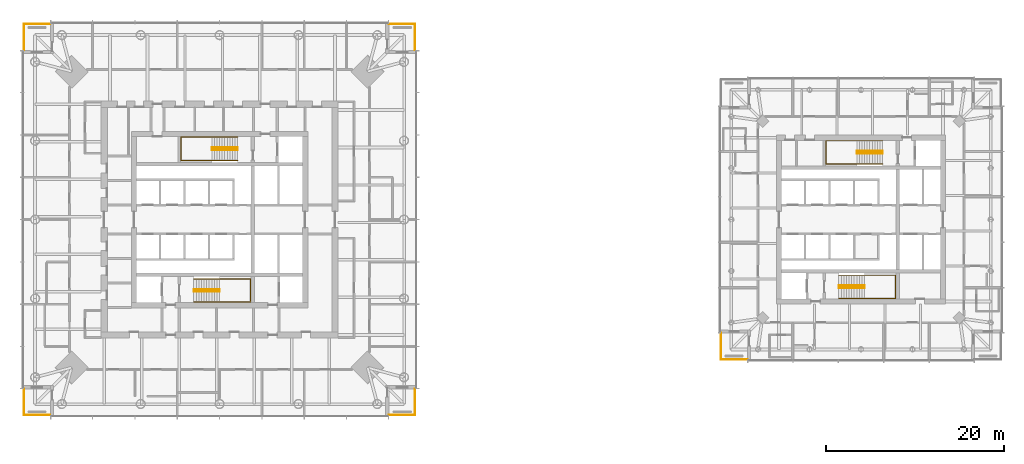
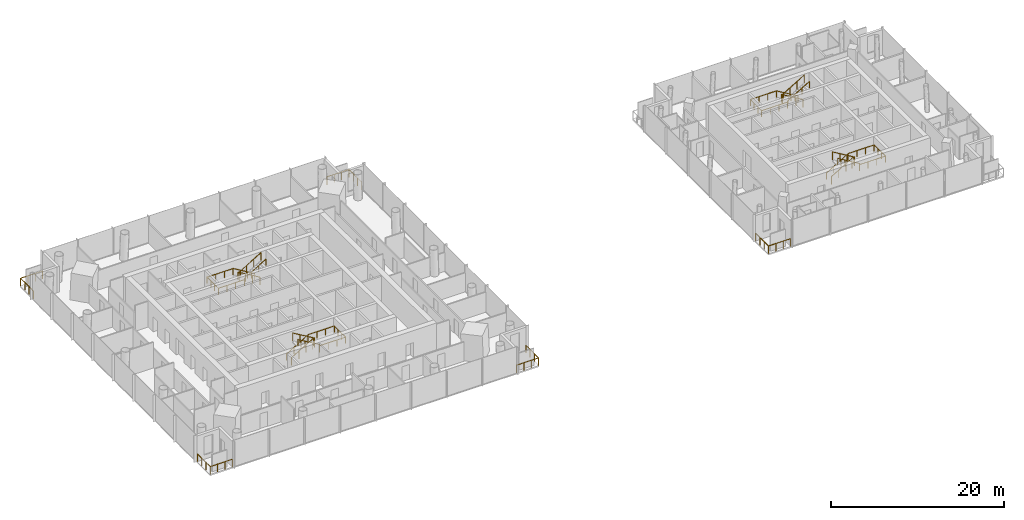
# One storey, part 17 of 18: 13 railings.
"""IFC4 building model written with IfcOpenShell, lengths in metres."""

import ifcopenshell
import ifcopenshell.guid

model = None  # the IFC model being written
_history = None  # IfcOwnerHistory: only IFC2X3 demands one
_inside = {}  # id of a spatial element -> (the spatial element, [elements in it])
_under = {}  # id of a project, library or spatial element -> (it, [spatial elements below it])
_declared = {}  # id of a project -> (the project, [libraries it declares])
_typed = {}  # id of a type object -> (the type object, [elements of that type])
_made_of = {}  # id of a material, layer set ... -> (it, [elements and type objects made of it])


def new_model(schema):
    """Start an empty IFC model of exactly this schema.

    Asked for "IFC4X3", IfcOpenShell would pick the latest addendum, in which some entities
    have other attributes; the version numbers below select the first issue.
    IFC2X3 requires an IfcOwnerHistory on every rooted entity: one is made here for all.
    """
    global model, _history
    if schema == "IFC4X3":
        model = ifcopenshell.file(schema_version=(4, 3, 0, 0))
    else:
        model = ifcopenshell.file(schema=schema)
    _inside.clear()
    _under.clear()
    _declared.clear()
    _typed.clear()
    _made_of.clear()
    _history = None
    if model.schema == "IFC2X3":
        org = make("IfcOrganization", Name="unknown")
        user = make(
            "IfcPersonAndOrganization",
            ThePerson=make("IfcPerson", FamilyName="unknown"),
            TheOrganization=org,
        )
        app = make(
            "IfcApplication",
            ApplicationDeveloper=org,
            Version="unknown",
            ApplicationFullName="unknown",
            ApplicationIdentifier="unknown",
        )
        _history = make(
            "IfcOwnerHistory",
            OwningUser=user,
            OwningApplication=app,
            ChangeAction="ADDED",
            CreationDate=0,
        )
    return model


def make(cls, **values):
    """One entity of the class cls with the attributes given. An attribute that is None is left unset."""
    return model.create_entity(
        cls, **{name: value for name, value in values.items() if value is not None}
    )


def rooted(cls, **values):
    """An entity with a GlobalId (a new one), such as an element, a storey or a relation."""
    return make(cls, GlobalId=ifcopenshell.guid.new(), OwnerHistory=_history, **values)


def si_unit(unit_type, name, prefix=None):
    """IfcSIUnit, for example si_unit("LENGTHUNIT", "METRE", prefix="MILLI")."""
    return make("IfcSIUnit", UnitType=unit_type, Prefix=prefix, Name=name)


def assignment(units):
    """IfcUnitAssignment: the units of a project."""
    return None if units is None else make("IfcUnitAssignment", Units=units)


def point(xyz):
    """IfcCartesianPoint."""
    return None if xyz is None else make("IfcCartesianPoint", Coordinates=xyz)


def direction(xyz):
    """IfcDirection."""
    return None if xyz is None else make("IfcDirection", DirectionRatios=xyz)


def frame(location, z_axis=None, x_axis=None):
    """IfcAxis2Placement3D, a coordinate frame: its origin and axes. An axis left out is left unset."""
    return make(
        "IfcAxis2Placement3D",
        Location=point(location),
        Axis=direction(z_axis),
        RefDirection=direction(x_axis),
    )


def frame_2d(location, x_axis=None):
    """IfcAxis2Placement2D, a coordinate frame in the plane: its origin and x axis."""
    return make(
        "IfcAxis2Placement2D", Location=point(location), RefDirection=direction(x_axis)
    )


def origin():
    """The frame at (0, 0, 0) with its axes left unset."""
    return frame((0.0, 0.0, 0.0))


def origin_2d():
    """The frame at (0, 0) in the plane with its x axis left unset."""
    return frame_2d((0.0, 0.0))


def place(relative_to, where):
    """IfcLocalPlacement: puts the frame where relative to a parent placement (None: the world)."""
    return make(
        "IfcLocalPlacement", PlacementRelTo=relative_to, RelativePlacement=where
    )


def context(
    kind, dimensions, precision=None, world=None, true_north=None, identifier=None
):
    """IfcGeometricRepresentationContext, for example the 3D "Model" context."""
    return make(
        "IfcGeometricRepresentationContext",
        ContextIdentifier=identifier,
        ContextType=kind,
        CoordinateSpaceDimension=dimensions,
        Precision=precision,
        WorldCoordinateSystem=world,
        TrueNorth=true_north,
    )


def subcontext(parent, identifier, kind, view, scale=None):
    """IfcGeometricRepresentationSubContext, for example "Body" below "Model"."""
    return make(
        "IfcGeometricRepresentationSubContext",
        ContextIdentifier=identifier,
        ContextType=kind,
        ParentContext=parent,
        TargetScale=scale,
        TargetView=view,
    )


def project(units=None, contexts=None):
    """IfcProject with its units and contexts."""
    return rooted(
        "IfcProject",
        Name="project",
        RepresentationContexts=contexts,
        UnitsInContext=assignment(units),
    )


def spatial(cls, under=None, at=None, **own):
    """A site, building, storey or space (cls), placed at a placement, below another one or the project."""
    s = rooted(cls, ObjectPlacement=at, **own)
    if under is not None:
        _under.setdefault(under.id(), (under, []))[1].append(s)
    return s


def profile(cls, at=None, kind="AREA", **sizes):
    """A parametric profile (cls). Its sizes go by their IFC names, for example OverallWidth=200.0."""
    return make(cls, ProfileType=kind, Position=at, **sizes)


def circle(**sizes):
    """IfcCircleProfileDef."""
    return profile("IfcCircleProfileDef", **sizes)


def extrude(swept, where, along, depth):
    """IfcExtrudedAreaSolid: the profile swept, set in the frame where, extruded along a direction by depth."""
    return make(
        "IfcExtrudedAreaSolid",
        SweptArea=swept,
        Position=where,
        ExtrudedDirection=direction(along),
        Depth=depth,
    )


def shape(context_of_items, identifier, shape_type, items):
    """IfcShapeRepresentation: the items that make up one representation, for example the "Body"."""
    return make(
        "IfcShapeRepresentation",
        ContextOfItems=context_of_items,
        RepresentationIdentifier=identifier,
        RepresentationType=shape_type,
        Items=items,
    )


def material(Name=None, Category=None):
    """IfcMaterial."""
    return make("IfcMaterial", Name=Name, Category=Category)


def made_of(thing, what):
    """Note that an element or type object is made of a material, layer set ...; save() writes the relation."""
    if what is not None:
        _made_of.setdefault(what.id(), (what, []))[1].append(thing)
    return thing


def type_object(cls, material=None, **own):
    """A type object (cls), such as IfcWallType, which elements share."""
    return made_of(rooted(cls, **own), material)


def element(
    cls,
    number,
    at=None,
    inside=None,
    cuts=None,
    type_object=None,
    material=None,
    context=None,
    identifier="Body",
    shape_type=None,
    held_by="IfcProductDefinitionShape",
    body=None,
    shapes=None,
    **own,
):
    """One element of the class cls, such as IfcWall. Its Tag is "e" and its number.

    at: its placement. inside: the storey or other place that contains it. cuts: it is an
    opening in that element (IfcRelVoidsElement). A single representation is given by context,
    identifier, shape_type and body (its items); several are given by shapes. held_by: the class
    of the entity that holds the representations. save() writes the other relations.
    """
    e = rooted(cls, Tag="e%d" % number, ObjectPlacement=at, **own)
    if body is not None:
        shapes = [shape(context, identifier, shape_type, body)]
    if shapes is not None:
        e.Representation = make(held_by, Representations=shapes)
    if inside is not None:
        _inside.setdefault(inside.id(), (inside, []))[1].append(e)
    if cuts is not None:
        rooted(
            "IfcRelVoidsElement", RelatingBuildingElement=cuts, RelatedOpeningElement=e
        )
    if type_object is not None:
        _typed.setdefault(type_object.id(), (type_object, []))[1].append(e)
    return made_of(e, material)


def aggregate(whole, parts):
    """IfcRelAggregates: a whole, such as a stair, and the parts it consists of."""
    return rooted("IfcRelAggregates", RelatingObject=whole, RelatedObjects=parts)


def save(model, path):
    """Write the relations noted so far, then the file.

    IfcRelAggregates (storeys below a building ...), IfcRelContainedInSpatialStructure (elements
    in a storey), IfcRelDefinesByType, IfcRelAssociatesMaterial and IfcRelDeclares: one each for
    every whole, place, type object, material and project.
    """
    for whole, parts in _under.values():
        aggregate(whole, parts)
    for where, things in _inside.values():
        rooted(
            "IfcRelContainedInSpatialStructure",
            RelatedElements=things,
            RelatingStructure=where,
        )
    for kind, things in _typed.values():
        rooted("IfcRelDefinesByType", RelatedObjects=things, RelatingType=kind)
    for what, things in _made_of.values():
        rooted("IfcRelAssociatesMaterial", RelatedObjects=things, RelatingMaterial=what)
    for by, libraries in _declared.values():
        rooted("IfcRelDeclares", RelatingContext=by, RelatedDefinitions=libraries)
    model.write(path)


model = new_model("IFC4")

# Units and contexts
model_context = context("Model", 3, precision=1e-05, world=origin(), true_north=direction((0.0, 1.0)))
body_context = subcontext(model_context, "Body", "Model", "MODEL_VIEW")
ifc_project = project(units=[si_unit("LENGTHUNIT", "METRE"), si_unit("AREAUNIT", "SQUARE_METRE"), si_unit("VOLUMEUNIT", "CUBIC_METRE"), si_unit("PLANEANGLEUNIT", "RADIAN"), si_unit("MASSUNIT", "GRAM", prefix="KILO")], contexts=[model_context])

# Site, building, storey
site_placement = place(None, origin())
site = spatial("IfcSite", under=ifc_project, at=site_placement, CompositionType="ELEMENT")
building_placement = place(site_placement, origin())
building = spatial("IfcBuilding", under=site, at=building_placement, Name="Ostroluk Exchange", CompositionType="ELEMENT")
storey_placement = place(building_placement, frame((0.0, 0.0, 123.60009765625)))
storey = spatial("IfcBuildingStorey", under=building, at=storey_placement, Name="L31", CompositionType="ELEMENT", Elevation=123.60009765625)

# Railings
ifc_material_1 = material(Name="Stainless steel", Category="steel")
railing_type_1 = type_object("IfcRailingType", Name="Guard 1100 stainless steel", PredefinedType="GUARDRAIL", material=ifc_material_1)
railing_1_placement = place(storey_placement, frame((64.0, 24.050048828125, 0.0)))
element("IfcRailing", 1, at=railing_1_placement, inside=storey, type_object=railing_type_1, Name="Office tower SE balcony guard L31", PredefinedType="GUARDRAIL", context=body_context, shape_type="SweptSolid", body=[
    extrude(circle(Radius=0.02392578125, at=origin_2d()), frame((0.0, 0.0, 1.076171875), z_axis=(1.0, 0.0, 0.0), x_axis=(0.0, 1.0, 0.0)), (0.0, 0.0, 1.0), 2.949951171875),
    extrude(circle(Radius=0.02392578125, at=origin_2d()), frame((2.949951171875, 0.0, 1.076171875), z_axis=(0.0, 1.0, 0.0), x_axis=(-1.0, 0.0, 0.0)), (0.0, 0.0, 1.0), 2.949951171875),
    extrude(circle(Radius=0.02099609375, at=origin_2d()), origin(), (0.0, 0.0, 1.0), 1.052001953125),
    extrude(circle(Radius=0.02099609375, at=origin_2d()), frame((0.9833984375, 0.0, 0.0)), (0.0, 0.0, 1.0), 1.052001953125),
    extrude(circle(Radius=0.02099609375, at=origin_2d()), frame((1.966552734375, 0.0, 0.0)), (0.0, 0.0, 1.0), 1.052001953125),
    extrude(circle(Radius=0.02099609375, at=origin_2d()), frame((2.949951171875, 0.0, 0.0)), (0.0, 0.0, 1.0), 1.052001953125),
    extrude(circle(Radius=0.02099609375, at=origin_2d()), frame((2.949951171875, 0.9833984375, 0.0)), (0.0, 0.0, 1.0), 1.052001953125),
    extrude(circle(Radius=0.02099609375, at=origin_2d()), frame((2.949951171875, 1.966552734375, 0.0)), (0.0, 0.0, 1.0), 1.052001953125),
    extrude(circle(Radius=0.02099609375, at=origin_2d()), frame((2.949951171875, 2.949951171875, 0.0)), (0.0, 0.0, 1.0), 1.052001953125),
])
railing_2_placement = place(storey_placement, frame((64.0, 67.949951171875, 0.0)))
element("IfcRailing", 2, at=railing_2_placement, inside=storey, type_object=railing_type_1, Name="Office tower NE balcony guard L31", PredefinedType="GUARDRAIL", context=body_context, shape_type="SweptSolid", body=[
    extrude(circle(Radius=0.02392578125, at=origin_2d()), frame((0.0, 0.0, 1.076171875), z_axis=(1.0, 0.0, 0.0), x_axis=(0.0, 1.0, 0.0)), (0.0, 0.0, 1.0), 2.949951171875),
    extrude(circle(Radius=0.02392578125, at=origin_2d()), frame((2.949951171875, 0.0, 1.076171875), z_axis=(0.0, -1.0, 0.0), x_axis=(1.0, 0.0, 0.0)), (0.0, 0.0, 1.0), 2.949951171875),
    extrude(circle(Radius=0.02099609375, at=origin_2d()), origin(), (0.0, 0.0, 1.0), 1.052001953125),
    extrude(circle(Radius=0.02099609375, at=origin_2d()), frame((0.9833984375, 0.0, 0.0)), (0.0, 0.0, 1.0), 1.052001953125),
    extrude(circle(Radius=0.02099609375, at=origin_2d()), frame((1.966552734375, 0.0, 0.0)), (0.0, 0.0, 1.0), 1.052001953125),
    extrude(circle(Radius=0.02099609375, at=origin_2d()), frame((2.949951171875, 0.0, 0.0)), (0.0, 0.0, 1.0), 1.052001953125),
    extrude(circle(Radius=0.02099609375, at=origin_2d()), frame((2.949951171875, -0.9833984375, 0.0)), (0.0, 0.0, 1.0), 1.052001953125),
    extrude(circle(Radius=0.02099609375, at=origin_2d()), frame((2.949951171875, -1.966552734375, 0.0)), (0.0, 0.0, 1.0), 1.052001953125),
    extrude(circle(Radius=0.02099609375, at=origin_2d()), frame((2.949951171875, -2.949951171875, 0.0)), (0.0, 0.0, 1.0), 1.052001953125),
])
railing_3_placement = place(storey_placement, frame((26.0, 67.949951171875, 0.0)))
element("IfcRailing", 3, at=railing_3_placement, inside=storey, type_object=railing_type_1, Name="Office tower NW balcony guard L31", PredefinedType="GUARDRAIL", context=body_context, shape_type="SweptSolid", body=[
    extrude(circle(Radius=0.02392578125, at=origin_2d()), frame((0.0, 0.0, 1.076171875), z_axis=(-1.0, 0.0, 0.0), x_axis=(0.0, -1.0, 0.0)), (0.0, 0.0, 1.0), 2.949951171875),
    extrude(circle(Radius=0.02392578125, at=origin_2d()), frame((-2.949951171875, 0.0, 1.076171875), z_axis=(0.0, -1.0, 0.0), x_axis=(1.0, 0.0, 0.0)), (0.0, 0.0, 1.0), 2.949951171875),
    extrude(circle(Radius=0.02099609375, at=origin_2d()), origin(), (0.0, 0.0, 1.0), 1.052001953125),
    extrude(circle(Radius=0.02099609375, at=origin_2d()), frame((-0.9833984375, 0.0, 0.0)), (0.0, 0.0, 1.0), 1.052001953125),
    extrude(circle(Radius=0.02099609375, at=origin_2d()), frame((-1.966552734375, 0.0, 0.0)), (0.0, 0.0, 1.0), 1.052001953125),
    extrude(circle(Radius=0.02099609375, at=origin_2d()), frame((-2.949951171875, 0.0, 0.0)), (0.0, 0.0, 1.0), 1.052001953125),
    extrude(circle(Radius=0.02099609375, at=origin_2d()), frame((-2.949951171875, -0.9833984375, 0.0)), (0.0, 0.0, 1.0), 1.052001953125),
    extrude(circle(Radius=0.02099609375, at=origin_2d()), frame((-2.949951171875, -1.966552734375, 0.0)), (0.0, 0.0, 1.0), 1.052001953125),
    extrude(circle(Radius=0.02099609375, at=origin_2d()), frame((-2.949951171875, -2.949951171875, 0.0)), (0.0, 0.0, 1.0), 1.052001953125),
])
for number, where, name in (
    (4, (26.0, 24.050048828125, 0.0), "Office tower SW balcony guard L31"),
    (5, (104.25, 30.300048828125, 0.0), "Hotel tower SW balcony guard L31"),
):
    element("IfcRailing", number, at=place(storey_placement, frame(where)), inside=storey, type_object=railing_type_1, Name=name, PredefinedType="GUARDRAIL", context=body_context, shape_type="SweptSolid", body=[
        extrude(circle(Radius=0.02392578125, at=origin_2d()), frame((0.0, 0.0, 1.076171875), z_axis=(-1.0, 0.0, 0.0), x_axis=(0.0, -1.0, 0.0)), (0.0, 0.0, 1.0), 2.949951171875),
        extrude(circle(Radius=0.02392578125, at=origin_2d()), frame((-2.949951171875, 0.0, 1.076171875), z_axis=(0.0, 1.0, 0.0), x_axis=(-1.0, 0.0, 0.0)), (0.0, 0.0, 1.0), 2.949951171875),
        extrude(circle(Radius=0.02099609375, at=origin_2d()), origin(), (0.0, 0.0, 1.0), 1.052001953125),
        extrude(circle(Radius=0.02099609375, at=origin_2d()), frame((-0.9833984375, 0.0, 0.0)), (0.0, 0.0, 1.0), 1.052001953125),
        extrude(circle(Radius=0.02099609375, at=origin_2d()), frame((-1.966552734375, 0.0, 0.0)), (0.0, 0.0, 1.0), 1.052001953125),
        extrude(circle(Radius=0.02099609375, at=origin_2d()), frame((-2.949951171875, 0.0, 0.0)), (0.0, 0.0, 1.0), 1.052001953125),
        extrude(circle(Radius=0.02099609375, at=origin_2d()), frame((-2.949951171875, 0.9833984375, 0.0)), (0.0, 0.0, 1.0), 1.052001953125),
        extrude(circle(Radius=0.02099609375, at=origin_2d()), frame((-2.949951171875, 1.966552734375, 0.0)), (0.0, 0.0, 1.0), 1.052001953125),
        extrude(circle(Radius=0.02099609375, at=origin_2d()), frame((-2.949951171875, 2.949951171875, 0.0)), (0.0, 0.0, 1.0), 1.052001953125),
    ])
ifc_material_2 = material(Name="Steel S355", Category="steel")
railing_type_2 = type_object("IfcRailingType", Name="Stair guard 1100", PredefinedType="GUARDRAIL", material=ifc_material_2)
railing_4_placement = place(storey_placement, frame((42.10009765625, 38.179931640625, 0.172607421875)))
element("IfcRailing", 6, at=railing_4_placement, inside=storey, type_object=railing_type_2, Name="Stair T1-S1 guard L31", PredefinedType="GUARDRAIL", context=body_context, shape_type="SweptSolid", body=[
    extrude(circle(Radius=0.02392578125, at=origin_2d()), frame((0.0, 0.0, 1.076171875), z_axis=(0.859141464434, 0.0, 0.511738159696), x_axis=(0.0, 1.0, 0.0)), (0.0, 0.0, 1.0), 3.375244140625),
    extrude(circle(Radius=0.02392578125, at=origin_2d()), frame((2.89990234375, 0.0, 2.80322265625), z_axis=(0.0, -1.0, 0.0), x_axis=(1.0, 0.0, 0.0)), (0.0, 0.0, 1.0), 0.260009765625),
    extrude(circle(Radius=0.02392578125, at=origin_2d()), frame((2.89990234375, -0.260009765625, 2.80322265625), z_axis=(0.0, 0.0, 1.0), x_axis=(1.0, 0.0, 0.0)), (0.0, 0.0, 1.0), 0.172607421875),
    extrude(circle(Radius=0.02392578125, at=origin_2d()), frame((2.89990234375, -0.260009765625, 2.97607421875), z_axis=(-0.859141464434, 0.0, 0.511738159696), x_axis=(0.0, -1.0, 0.0)), (0.0, 0.0, 1.0), 3.375244140625),
    extrude(circle(Radius=0.02099609375, at=origin_2d()), origin(), (0.0, 0.0, 1.0), 1.052001953125),
    extrude(circle(Radius=0.02099609375, at=origin_2d()), frame((0.966552734375, 0.0, 0.57568359375)), (0.0, 0.0, 1.0), 1.052001953125),
    extrude(circle(Radius=0.02099609375, at=origin_2d()), frame((1.933349609375, 0.0, 1.151611328125)), (0.0, 0.0, 1.0), 1.052001953125),
    extrude(circle(Radius=0.02099609375, at=origin_2d()), frame((2.89990234375, 0.0, 1.727294921875)), (0.0, 0.0, 1.0), 1.052001953125),
    extrude(circle(Radius=0.02099609375, at=origin_2d()), frame((2.89990234375, -0.260009765625, 1.727294921875)), (0.0, 0.0, 1.0), 1.052001953125),
    extrude(circle(Radius=0.02099609375, at=origin_2d()), frame((2.89990234375, -0.260009765625, 1.89990234375)), (0.0, 0.0, 1.0), 1.052001953125),
    extrude(circle(Radius=0.02099609375, at=origin_2d()), frame((1.933349609375, -0.260009765625, 2.4755859375)), (0.0, 0.0, 1.0), 1.052001953125),
    extrude(circle(Radius=0.02099609375, at=origin_2d()), frame((0.966552734375, -0.260009765625, 3.051513671875)), (0.0, 0.0, 1.0), 1.052001953125),
    extrude(circle(Radius=0.02099609375, at=origin_2d()), frame((0.0, -0.260009765625, 3.627197265625)), (0.0, 0.0, 1.0), 1.052001953125),
])
railing_5_placement = place(storey_placement, frame((47.030029296875, 54.080078125, 0.172607421875)))
element("IfcRailing", 7, at=railing_5_placement, inside=storey, type_object=railing_type_2, Name="Stair T1-S2 guard L31", PredefinedType="GUARDRAIL", context=body_context, shape_type="SweptSolid", body=[
    extrude(circle(Radius=0.02392578125, at=origin_2d()), frame((0.0, 0.0, 1.076171875), z_axis=(-0.859160404282, 0.0, 0.51170636083), x_axis=(0.0, -1.0, 0.0)), (0.0, 0.0, 1.0), 3.37548828125),
    extrude(circle(Radius=0.02392578125, at=origin_2d()), frame((-2.900146484375, 0.0, 2.80322265625), z_axis=(0.0, -1.0, 0.0), x_axis=(1.0, 0.0, 0.0)), (0.0, 0.0, 1.0), 0.260009765625),
    extrude(circle(Radius=0.02392578125, at=origin_2d()), frame((-2.900146484375, -0.260009765625, 2.80322265625), z_axis=(0.0, 0.0, 1.0), x_axis=(1.0, 0.0, 0.0)), (0.0, 0.0, 1.0), 0.172607421875),
    extrude(circle(Radius=0.02392578125, at=origin_2d()), frame((-2.900146484375, -0.260009765625, 2.97607421875), z_axis=(0.859160404282, 0.0, 0.51170636083), x_axis=(0.0, 1.0, 0.0)), (0.0, 0.0, 1.0), 3.37548828125),
    extrude(circle(Radius=0.02099609375, at=origin_2d()), origin(), (0.0, 0.0, 1.0), 1.052001953125),
    extrude(circle(Radius=0.02099609375, at=origin_2d()), frame((-0.966796875, 0.0, 0.57568359375)), (0.0, 0.0, 1.0), 1.052001953125),
    extrude(circle(Radius=0.02099609375, at=origin_2d()), frame((-1.933349609375, 0.0, 1.151611328125)), (0.0, 0.0, 1.0), 1.052001953125),
    extrude(circle(Radius=0.02099609375, at=origin_2d()), frame((-2.900146484375, 0.0, 1.727294921875)), (0.0, 0.0, 1.0), 1.052001953125),
    extrude(circle(Radius=0.02099609375, at=origin_2d()), frame((-2.900146484375, -0.260009765625, 1.727294921875)), (0.0, 0.0, 1.0), 1.052001953125),
    extrude(circle(Radius=0.02099609375, at=origin_2d()), frame((-2.900146484375, -0.260009765625, 1.89990234375)), (0.0, 0.0, 1.0), 1.052001953125),
    extrude(circle(Radius=0.02099609375, at=origin_2d()), frame((-1.933349609375, -0.260009765625, 2.4755859375)), (0.0, 0.0, 1.0), 1.052001953125),
    extrude(circle(Radius=0.02099609375, at=origin_2d()), frame((-0.966796875, -0.260009765625, 3.051513671875)), (0.0, 0.0, 1.0), 1.052001953125),
    extrude(circle(Radius=0.02099609375, at=origin_2d()), frame((0.0, -0.260009765625, 3.627197265625)), (0.0, 0.0, 1.0), 1.052001953125),
])
railing_6_placement = place(storey_placement, frame((114.5, 38.580078125, 0.172607421875)))
element("IfcRailing", 8, at=railing_6_placement, inside=storey, type_object=railing_type_2, Name="Stair T2-S1 guard L31", PredefinedType="GUARDRAIL", context=body_context, shape_type="SweptSolid", body=[
    extrude(circle(Radius=0.02392578125, at=origin_2d()), frame((0.0, 0.0, 1.076171875), z_axis=(0.859141464434, 0.0, 0.511738159696), x_axis=(0.0, 1.0, 0.0)), (0.0, 0.0, 1.0), 3.375244140625),
    extrude(circle(Radius=0.02392578125, at=origin_2d()), frame((2.89990234375, 0.0, 2.80322265625), z_axis=(0.0, -1.0, 0.0), x_axis=(1.0, 0.0, 0.0)), (0.0, 0.0, 1.0), 0.260009765625),
    extrude(circle(Radius=0.02392578125, at=origin_2d()), frame((2.89990234375, -0.260009765625, 2.80322265625), z_axis=(0.0, 0.0, 1.0), x_axis=(1.0, 0.0, 0.0)), (0.0, 0.0, 1.0), 0.172607421875),
    extrude(circle(Radius=0.02392578125, at=origin_2d()), frame((2.89990234375, -0.260009765625, 2.97607421875), z_axis=(-0.859141464434, 0.0, 0.511738159696), x_axis=(0.0, -1.0, 0.0)), (0.0, 0.0, 1.0), 3.375244140625),
    extrude(circle(Radius=0.02099609375, at=origin_2d()), origin(), (0.0, 0.0, 1.0), 1.052001953125),
    extrude(circle(Radius=0.02099609375, at=origin_2d()), frame((0.966552734375, 0.0, 0.57568359375)), (0.0, 0.0, 1.0), 1.052001953125),
    extrude(circle(Radius=0.02099609375, at=origin_2d()), frame((1.933349609375, 0.0, 1.151611328125)), (0.0, 0.0, 1.0), 1.052001953125),
    extrude(circle(Radius=0.02099609375, at=origin_2d()), frame((2.89990234375, 0.0, 1.727294921875)), (0.0, 0.0, 1.0), 1.052001953125),
    extrude(circle(Radius=0.02099609375, at=origin_2d()), frame((2.89990234375, -0.260009765625, 1.727294921875)), (0.0, 0.0, 1.0), 1.052001953125),
    extrude(circle(Radius=0.02099609375, at=origin_2d()), frame((2.89990234375, -0.260009765625, 1.89990234375)), (0.0, 0.0, 1.0), 1.052001953125),
    extrude(circle(Radius=0.02099609375, at=origin_2d()), frame((1.933349609375, -0.260009765625, 2.4755859375)), (0.0, 0.0, 1.0), 1.052001953125),
    extrude(circle(Radius=0.02099609375, at=origin_2d()), frame((0.966552734375, -0.260009765625, 3.051513671875)), (0.0, 0.0, 1.0), 1.052001953125),
    extrude(circle(Radius=0.02099609375, at=origin_2d()), frame((0.0, -0.260009765625, 3.627197265625)), (0.0, 0.0, 1.0), 1.052001953125),
])
railing_7_placement = place(storey_placement, frame((119.429931640625, 53.679931640625, 0.172607421875)))
element("IfcRailing", 9, at=railing_7_placement, inside=storey, type_object=railing_type_2, Name="Stair T2-S2 guard L31", PredefinedType="GUARDRAIL", context=body_context, shape_type="SweptSolid", body=[
    extrude(circle(Radius=0.02392578125, at=origin_2d()), frame((0.0, 0.0, 1.076171875), z_axis=(-0.859141464434, 0.0, 0.511738159696), x_axis=(0.0, -1.0, 0.0)), (0.0, 0.0, 1.0), 3.375244140625),
    extrude(circle(Radius=0.02392578125, at=origin_2d()), frame((-2.89990234375, 0.0, 2.80322265625), z_axis=(0.0, -1.0, 0.0), x_axis=(1.0, 0.0, 0.0)), (0.0, 0.0, 1.0), 0.260009765625),
    extrude(circle(Radius=0.02392578125, at=origin_2d()), frame((-2.89990234375, -0.260009765625, 2.80322265625), z_axis=(0.0, 0.0, 1.0), x_axis=(1.0, 0.0, 0.0)), (0.0, 0.0, 1.0), 0.172607421875),
    extrude(circle(Radius=0.02392578125, at=origin_2d()), frame((-2.89990234375, -0.260009765625, 2.97607421875), z_axis=(0.859141464434, 0.0, 0.511738159696), x_axis=(0.0, 1.0, 0.0)), (0.0, 0.0, 1.0), 3.375244140625),
    extrude(circle(Radius=0.02099609375, at=origin_2d()), origin(), (0.0, 0.0, 1.0), 1.052001953125),
    extrude(circle(Radius=0.02099609375, at=origin_2d()), frame((-0.966552734375, 0.0, 0.57568359375)), (0.0, 0.0, 1.0), 1.052001953125),
    extrude(circle(Radius=0.02099609375, at=origin_2d()), frame((-1.933349609375, 0.0, 1.151611328125)), (0.0, 0.0, 1.0), 1.052001953125),
    extrude(circle(Radius=0.02099609375, at=origin_2d()), frame((-2.89990234375, 0.0, 1.727294921875)), (0.0, 0.0, 1.0), 1.052001953125),
    extrude(circle(Radius=0.02099609375, at=origin_2d()), frame((-2.89990234375, -0.260009765625, 1.727294921875)), (0.0, 0.0, 1.0), 1.052001953125),
    extrude(circle(Radius=0.02099609375, at=origin_2d()), frame((-2.89990234375, -0.260009765625, 1.89990234375)), (0.0, 0.0, 1.0), 1.052001953125),
    extrude(circle(Radius=0.02099609375, at=origin_2d()), frame((-1.933349609375, -0.260009765625, 2.4755859375)), (0.0, 0.0, 1.0), 1.052001953125),
    extrude(circle(Radius=0.02099609375, at=origin_2d()), frame((-0.966552734375, -0.260009765625, 3.051513671875)), (0.0, 0.0, 1.0), 1.052001953125),
    extrude(circle(Radius=0.02099609375, at=origin_2d()), frame((0.0, -0.260009765625, 3.627197265625)), (0.0, 0.0, 1.0), 1.052001953125),
])
ifc_material_3 = material(Name="Stainless steel", Category="steel")
railing_type_3 = type_object("IfcRailingType", Name="Stair handrail 900", PredefinedType="HANDRAIL", material=ifc_material_3)
railing_8_placement = place(storey_placement, frame((42.10009765625, 39.35009765625, 0.172607421875)))
element("IfcRailing", 10, at=railing_8_placement, inside=storey, type_object=railing_type_3, Name="Stair T1-S1 handrail L31", PredefinedType="HANDRAIL", context=body_context, shape_type="SweptSolid", body=[
    extrude(circle(Radius=0.02392578125, at=origin_2d()), frame((0.0, 0.0, 0.8759765625), z_axis=(0.859141464434, 0.0, 0.511738159696), x_axis=(0.0, 1.0, 0.0)), (0.0, 0.0, 1.0), 3.375244140625),
    extrude(circle(Radius=0.02392578125, at=origin_2d()), frame((2.89990234375, 0.0, 2.60302734375), z_axis=(1.0, 0.0, 0.0), x_axis=(0.0, 1.0, 0.0)), (0.0, 0.0, 1.0), 3.47998046875),
    extrude(circle(Radius=0.02392578125, at=origin_2d()), frame((6.3798828125, 0.0, 2.60302734375), z_axis=(0.0, -1.0, 0.0), x_axis=(1.0, 0.0, 0.0)), (0.0, 0.0, 1.0), 2.60009765625),
    extrude(circle(Radius=0.02392578125, at=origin_2d()), frame((6.3798828125, -2.60009765625, 2.60302734375), z_axis=(-1.0, 0.0, 0.0), x_axis=(0.0, -1.0, 0.0)), (0.0, 0.0, 1.0), 3.47998046875),
    extrude(circle(Radius=0.02392578125, at=origin_2d()), frame((2.89990234375, -2.60009765625, 2.60302734375), z_axis=(0.0, 0.0, 1.0), x_axis=(1.0, 0.0, 0.0)), (0.0, 0.0, 1.0), 0.172607421875),
    extrude(circle(Radius=0.02392578125, at=origin_2d()), frame((2.89990234375, -2.60009765625, 2.77587890625), z_axis=(-0.859141464434, 0.0, 0.511738159696), x_axis=(0.0, -1.0, 0.0)), (0.0, 0.0, 1.0), 3.375244140625),
    extrude(circle(Radius=0.02099609375, at=origin_2d()), origin(), (0.0, 0.0, 1.0), 0.851806640625),
    extrude(circle(Radius=0.02099609375, at=origin_2d()), frame((0.966552734375, 0.0, 0.57568359375)), (0.0, 0.0, 1.0), 0.851806640625),
    extrude(circle(Radius=0.02099609375, at=origin_2d()), frame((1.933349609375, 0.0, 1.151611328125)), (0.0, 0.0, 1.0), 0.851806640625),
    extrude(circle(Radius=0.02099609375, at=origin_2d()), frame((2.89990234375, 0.0, 1.727294921875)), (0.0, 0.0, 1.0), 0.851806640625),
    extrude(circle(Radius=0.02099609375, at=origin_2d()), frame((4.059814453125, 0.0, 1.727294921875)), (0.0, 0.0, 1.0), 0.851806640625),
    extrude(circle(Radius=0.02099609375, at=origin_2d()), frame((5.219970703125, 0.0, 1.727294921875)), (0.0, 0.0, 1.0), 0.851806640625),
    extrude(circle(Radius=0.02099609375, at=origin_2d()), frame((6.3798828125, 0.0, 1.727294921875)), (0.0, 0.0, 1.0), 0.851806640625),
    extrude(circle(Radius=0.02099609375, at=origin_2d()), frame((6.3798828125, -0.86669921875, 1.727294921875)), (0.0, 0.0, 1.0), 0.851806640625),
    extrude(circle(Radius=0.02099609375, at=origin_2d()), frame((6.3798828125, -1.7333984375, 1.727294921875)), (0.0, 0.0, 1.0), 0.851806640625),
    extrude(circle(Radius=0.02099609375, at=origin_2d()), frame((6.3798828125, -2.60009765625, 1.727294921875)), (0.0, 0.0, 1.0), 0.851806640625),
    extrude(circle(Radius=0.02099609375, at=origin_2d()), frame((5.219970703125, -2.60009765625, 1.727294921875)), (0.0, 0.0, 1.0), 0.851806640625),
    extrude(circle(Radius=0.02099609375, at=origin_2d()), frame((4.059814453125, -2.60009765625, 1.727294921875)), (0.0, 0.0, 1.0), 0.851806640625),
    extrude(circle(Radius=0.02099609375, at=origin_2d()), frame((2.89990234375, -2.60009765625, 1.727294921875)), (0.0, 0.0, 1.0), 0.851806640625),
    extrude(circle(Radius=0.02099609375, at=origin_2d()), frame((2.89990234375, -2.60009765625, 1.89990234375)), (0.0, 0.0, 1.0), 0.851806640625),
    extrude(circle(Radius=0.02099609375, at=origin_2d()), frame((1.933349609375, -2.60009765625, 2.4755859375)), (0.0, 0.0, 1.0), 0.851806640625),
    extrude(circle(Radius=0.02099609375, at=origin_2d()), frame((0.966552734375, -2.60009765625, 3.051513671875)), (0.0, 0.0, 1.0), 0.851806640625),
    extrude(circle(Radius=0.02099609375, at=origin_2d()), frame((0.0, -2.60009765625, 3.627197265625)), (0.0, 0.0, 1.0), 0.851806640625),
])
railing_9_placement = place(storey_placement, frame((47.030029296875, 55.25, 0.172607421875)))
element("IfcRailing", 11, at=railing_9_placement, inside=storey, type_object=railing_type_3, Name="Stair T1-S2 handrail L31", PredefinedType="HANDRAIL", context=body_context, shape_type="SweptSolid", body=[
    extrude(circle(Radius=0.02392578125, at=origin_2d()), frame((0.0, 0.0, 0.8759765625), z_axis=(-0.859160404282, 0.0, 0.51170636083), x_axis=(0.0, -1.0, 0.0)), (0.0, 0.0, 1.0), 3.37548828125),
    extrude(circle(Radius=0.02392578125, at=origin_2d()), frame((-2.900146484375, 0.0, 2.60302734375), z_axis=(-1.0, 0.0, 0.0), x_axis=(0.0, -1.0, 0.0)), (0.0, 0.0, 1.0), 3.47998046875),
    extrude(circle(Radius=0.02392578125, at=origin_2d()), frame((-6.380126953125, 0.0, 2.60302734375), z_axis=(0.0, -1.0, 0.0), x_axis=(1.0, 0.0, 0.0)), (0.0, 0.0, 1.0), 2.60009765625),
    extrude(circle(Radius=0.02392578125, at=origin_2d()), frame((-6.380126953125, -2.60009765625, 2.60302734375), z_axis=(1.0, 0.0, 0.0), x_axis=(0.0, 1.0, 0.0)), (0.0, 0.0, 1.0), 3.47998046875),
    extrude(circle(Radius=0.02392578125, at=origin_2d()), frame((-2.900146484375, -2.60009765625, 2.60302734375), z_axis=(0.0, 0.0, 1.0), x_axis=(1.0, 0.0, 0.0)), (0.0, 0.0, 1.0), 0.172607421875),
    extrude(circle(Radius=0.02392578125, at=origin_2d()), frame((-2.900146484375, -2.60009765625, 2.77587890625), z_axis=(0.859160404282, 0.0, 0.51170636083), x_axis=(0.0, 1.0, 0.0)), (0.0, 0.0, 1.0), 3.37548828125),
    extrude(circle(Radius=0.02099609375, at=origin_2d()), origin(), (0.0, 0.0, 1.0), 0.851806640625),
    extrude(circle(Radius=0.02099609375, at=origin_2d()), frame((-0.966796875, 0.0, 0.57568359375)), (0.0, 0.0, 1.0), 0.851806640625),
    extrude(circle(Radius=0.02099609375, at=origin_2d()), frame((-1.933349609375, 0.0, 1.151611328125)), (0.0, 0.0, 1.0), 0.851806640625),
    extrude(circle(Radius=0.02099609375, at=origin_2d()), frame((-2.900146484375, 0.0, 1.727294921875)), (0.0, 0.0, 1.0), 0.851806640625),
    extrude(circle(Radius=0.02099609375, at=origin_2d()), frame((-4.06005859375, 0.0, 1.727294921875)), (0.0, 0.0, 1.0), 0.851806640625),
    extrude(circle(Radius=0.02099609375, at=origin_2d()), frame((-5.22021484375, 0.0, 1.727294921875)), (0.0, 0.0, 1.0), 0.851806640625),
    extrude(circle(Radius=0.02099609375, at=origin_2d()), frame((-6.380126953125, 0.0, 1.727294921875)), (0.0, 0.0, 1.0), 0.851806640625),
    extrude(circle(Radius=0.02099609375, at=origin_2d()), frame((-6.380126953125, -0.86669921875, 1.727294921875)), (0.0, 0.0, 1.0), 0.851806640625),
    extrude(circle(Radius=0.02099609375, at=origin_2d()), frame((-6.380126953125, -1.7333984375, 1.727294921875)), (0.0, 0.0, 1.0), 0.851806640625),
    extrude(circle(Radius=0.02099609375, at=origin_2d()), frame((-6.380126953125, -2.60009765625, 1.727294921875)), (0.0, 0.0, 1.0), 0.851806640625),
    extrude(circle(Radius=0.02099609375, at=origin_2d()), frame((-5.22021484375, -2.60009765625, 1.727294921875)), (0.0, 0.0, 1.0), 0.851806640625),
    extrude(circle(Radius=0.02099609375, at=origin_2d()), frame((-4.06005859375, -2.60009765625, 1.727294921875)), (0.0, 0.0, 1.0), 0.851806640625),
    extrude(circle(Radius=0.02099609375, at=origin_2d()), frame((-2.900146484375, -2.60009765625, 1.727294921875)), (0.0, 0.0, 1.0), 0.851806640625),
    extrude(circle(Radius=0.02099609375, at=origin_2d()), frame((-2.900146484375, -2.60009765625, 1.89990234375)), (0.0, 0.0, 1.0), 0.851806640625),
    extrude(circle(Radius=0.02099609375, at=origin_2d()), frame((-1.933349609375, -2.60009765625, 2.4755859375)), (0.0, 0.0, 1.0), 0.851806640625),
    extrude(circle(Radius=0.02099609375, at=origin_2d()), frame((-0.966796875, -2.60009765625, 3.051513671875)), (0.0, 0.0, 1.0), 0.851806640625),
    extrude(circle(Radius=0.02099609375, at=origin_2d()), frame((0.0, -2.60009765625, 3.627197265625)), (0.0, 0.0, 1.0), 0.851806640625),
])
railing_10_placement = place(storey_placement, frame((114.5, 39.75, 0.172607421875)))
element("IfcRailing", 12, at=railing_10_placement, inside=storey, type_object=railing_type_3, Name="Stair T2-S1 handrail L31", PredefinedType="HANDRAIL", context=body_context, shape_type="SweptSolid", body=[
    extrude(circle(Radius=0.02392578125, at=origin_2d()), frame((0.0, 0.0, 0.8759765625), z_axis=(0.859141464434, 0.0, 0.511738159696), x_axis=(0.0, 1.0, 0.0)), (0.0, 0.0, 1.0), 3.375244140625),
    extrude(circle(Radius=0.02392578125, at=origin_2d()), frame((2.89990234375, 0.0, 2.60302734375), z_axis=(1.0, 0.0, 0.0), x_axis=(0.0, 1.0, 0.0)), (0.0, 0.0, 1.0), 3.47998046875),
    extrude(circle(Radius=0.02392578125, at=origin_2d()), frame((6.3798828125, 0.0, 2.60302734375), z_axis=(0.0, -1.0, 0.0), x_axis=(1.0, 0.0, 0.0)), (0.0, 0.0, 1.0), 2.60009765625),
    extrude(circle(Radius=0.02392578125, at=origin_2d()), frame((6.3798828125, -2.60009765625, 2.60302734375), z_axis=(-1.0, 0.0, 0.0), x_axis=(0.0, -1.0, 0.0)), (0.0, 0.0, 1.0), 3.47998046875),
    extrude(circle(Radius=0.02392578125, at=origin_2d()), frame((2.89990234375, -2.60009765625, 2.60302734375), z_axis=(0.0, 0.0, 1.0), x_axis=(1.0, 0.0, 0.0)), (0.0, 0.0, 1.0), 0.172607421875),
    extrude(circle(Radius=0.02392578125, at=origin_2d()), frame((2.89990234375, -2.60009765625, 2.77587890625), z_axis=(-0.859141464434, 0.0, 0.511738159696), x_axis=(0.0, -1.0, 0.0)), (0.0, 0.0, 1.0), 3.375244140625),
    extrude(circle(Radius=0.02099609375, at=origin_2d()), origin(), (0.0, 0.0, 1.0), 0.851806640625),
    extrude(circle(Radius=0.02099609375, at=origin_2d()), frame((0.966552734375, 0.0, 0.57568359375)), (0.0, 0.0, 1.0), 0.851806640625),
    extrude(circle(Radius=0.02099609375, at=origin_2d()), frame((1.933349609375, 0.0, 1.151611328125)), (0.0, 0.0, 1.0), 0.851806640625),
    extrude(circle(Radius=0.02099609375, at=origin_2d()), frame((2.89990234375, 0.0, 1.727294921875)), (0.0, 0.0, 1.0), 0.851806640625),
    extrude(circle(Radius=0.02099609375, at=origin_2d()), frame((4.059814453125, 0.0, 1.727294921875)), (0.0, 0.0, 1.0), 0.851806640625),
    extrude(circle(Radius=0.02099609375, at=origin_2d()), frame((5.219970703125, 0.0, 1.727294921875)), (0.0, 0.0, 1.0), 0.851806640625),
    extrude(circle(Radius=0.02099609375, at=origin_2d()), frame((6.3798828125, 0.0, 1.727294921875)), (0.0, 0.0, 1.0), 0.851806640625),
    extrude(circle(Radius=0.02099609375, at=origin_2d()), frame((6.3798828125, -0.86669921875, 1.727294921875)), (0.0, 0.0, 1.0), 0.851806640625),
    extrude(circle(Radius=0.02099609375, at=origin_2d()), frame((6.3798828125, -1.7333984375, 1.727294921875)), (0.0, 0.0, 1.0), 0.851806640625),
    extrude(circle(Radius=0.02099609375, at=origin_2d()), frame((6.3798828125, -2.60009765625, 1.727294921875)), (0.0, 0.0, 1.0), 0.851806640625),
    extrude(circle(Radius=0.02099609375, at=origin_2d()), frame((5.219970703125, -2.60009765625, 1.727294921875)), (0.0, 0.0, 1.0), 0.851806640625),
    extrude(circle(Radius=0.02099609375, at=origin_2d()), frame((4.059814453125, -2.60009765625, 1.727294921875)), (0.0, 0.0, 1.0), 0.851806640625),
    extrude(circle(Radius=0.02099609375, at=origin_2d()), frame((2.89990234375, -2.60009765625, 1.727294921875)), (0.0, 0.0, 1.0), 0.851806640625),
    extrude(circle(Radius=0.02099609375, at=origin_2d()), frame((2.89990234375, -2.60009765625, 1.89990234375)), (0.0, 0.0, 1.0), 0.851806640625),
    extrude(circle(Radius=0.02099609375, at=origin_2d()), frame((1.933349609375, -2.60009765625, 2.4755859375)), (0.0, 0.0, 1.0), 0.851806640625),
    extrude(circle(Radius=0.02099609375, at=origin_2d()), frame((0.966552734375, -2.60009765625, 3.051513671875)), (0.0, 0.0, 1.0), 0.851806640625),
    extrude(circle(Radius=0.02099609375, at=origin_2d()), frame((0.0, -2.60009765625, 3.627197265625)), (0.0, 0.0, 1.0), 0.851806640625),
])
railing_11_placement = place(storey_placement, frame((119.429931640625, 54.85009765625, 0.172607421875)))
element("IfcRailing", 13, at=railing_11_placement, inside=storey, type_object=railing_type_3, Name="Stair T2-S2 handrail L31", PredefinedType="HANDRAIL", context=body_context, shape_type="SweptSolid", body=[
    extrude(circle(Radius=0.02392578125, at=origin_2d()), frame((0.0, 0.0, 0.8759765625), z_axis=(-0.859141464434, 0.0, 0.511738159696), x_axis=(0.0, -1.0, 0.0)), (0.0, 0.0, 1.0), 3.375244140625),
    extrude(circle(Radius=0.02392578125, at=origin_2d()), frame((-2.89990234375, 0.0, 2.60302734375), z_axis=(-1.0, 0.0, 0.0), x_axis=(0.0, -1.0, 0.0)), (0.0, 0.0, 1.0), 3.47998046875),
    extrude(circle(Radius=0.02392578125, at=origin_2d()), frame((-6.3798828125, 0.0, 2.60302734375), z_axis=(0.0, -1.0, 0.0), x_axis=(1.0, 0.0, 0.0)), (0.0, 0.0, 1.0), 2.60009765625),
    extrude(circle(Radius=0.02392578125, at=origin_2d()), frame((-6.3798828125, -2.60009765625, 2.60302734375), z_axis=(1.0, 0.0, 0.0), x_axis=(0.0, 1.0, 0.0)), (0.0, 0.0, 1.0), 3.47998046875),
    extrude(circle(Radius=0.02392578125, at=origin_2d()), frame((-2.89990234375, -2.60009765625, 2.60302734375), z_axis=(0.0, 0.0, 1.0), x_axis=(1.0, 0.0, 0.0)), (0.0, 0.0, 1.0), 0.172607421875),
    extrude(circle(Radius=0.02392578125, at=origin_2d()), frame((-2.89990234375, -2.60009765625, 2.77587890625), z_axis=(0.859141464434, 0.0, 0.511738159696), x_axis=(0.0, 1.0, 0.0)), (0.0, 0.0, 1.0), 3.375244140625),
    extrude(circle(Radius=0.02099609375, at=origin_2d()), origin(), (0.0, 0.0, 1.0), 0.851806640625),
    extrude(circle(Radius=0.02099609375, at=origin_2d()), frame((-0.966552734375, 0.0, 0.57568359375)), (0.0, 0.0, 1.0), 0.851806640625),
    extrude(circle(Radius=0.02099609375, at=origin_2d()), frame((-1.933349609375, 0.0, 1.151611328125)), (0.0, 0.0, 1.0), 0.851806640625),
    extrude(circle(Radius=0.02099609375, at=origin_2d()), frame((-2.89990234375, 0.0, 1.727294921875)), (0.0, 0.0, 1.0), 0.851806640625),
    extrude(circle(Radius=0.02099609375, at=origin_2d()), frame((-4.059814453125, 0.0, 1.727294921875)), (0.0, 0.0, 1.0), 0.851806640625),
    extrude(circle(Radius=0.02099609375, at=origin_2d()), frame((-5.219970703125, 0.0, 1.727294921875)), (0.0, 0.0, 1.0), 0.851806640625),
    extrude(circle(Radius=0.02099609375, at=origin_2d()), frame((-6.3798828125, 0.0, 1.727294921875)), (0.0, 0.0, 1.0), 0.851806640625),
    extrude(circle(Radius=0.02099609375, at=origin_2d()), frame((-6.3798828125, -0.86669921875, 1.727294921875)), (0.0, 0.0, 1.0), 0.851806640625),
    extrude(circle(Radius=0.02099609375, at=origin_2d()), frame((-6.3798828125, -1.7333984375, 1.727294921875)), (0.0, 0.0, 1.0), 0.851806640625),
    extrude(circle(Radius=0.02099609375, at=origin_2d()), frame((-6.3798828125, -2.60009765625, 1.727294921875)), (0.0, 0.0, 1.0), 0.851806640625),
    extrude(circle(Radius=0.02099609375, at=origin_2d()), frame((-5.219970703125, -2.60009765625, 1.727294921875)), (0.0, 0.0, 1.0), 0.851806640625),
    extrude(circle(Radius=0.02099609375, at=origin_2d()), frame((-4.059814453125, -2.60009765625, 1.727294921875)), (0.0, 0.0, 1.0), 0.851806640625),
    extrude(circle(Radius=0.02099609375, at=origin_2d()), frame((-2.89990234375, -2.60009765625, 1.727294921875)), (0.0, 0.0, 1.0), 0.851806640625),
    extrude(circle(Radius=0.02099609375, at=origin_2d()), frame((-2.89990234375, -2.60009765625, 1.89990234375)), (0.0, 0.0, 1.0), 0.851806640625),
    extrude(circle(Radius=0.02099609375, at=origin_2d()), frame((-1.933349609375, -2.60009765625, 2.4755859375)), (0.0, 0.0, 1.0), 0.851806640625),
    extrude(circle(Radius=0.02099609375, at=origin_2d()), frame((-0.966552734375, -2.60009765625, 3.051513671875)), (0.0, 0.0, 1.0), 0.851806640625),
    extrude(circle(Radius=0.02099609375, at=origin_2d()), frame((0.0, -2.60009765625, 3.627197265625)), (0.0, 0.0, 1.0), 0.851806640625),
])

save(model, "model.ifc")
